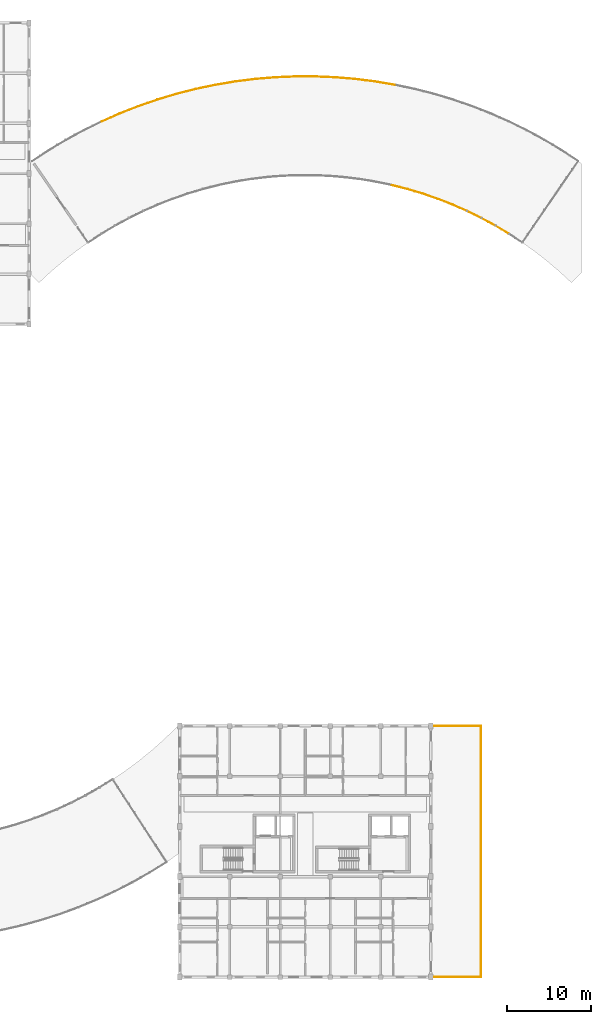
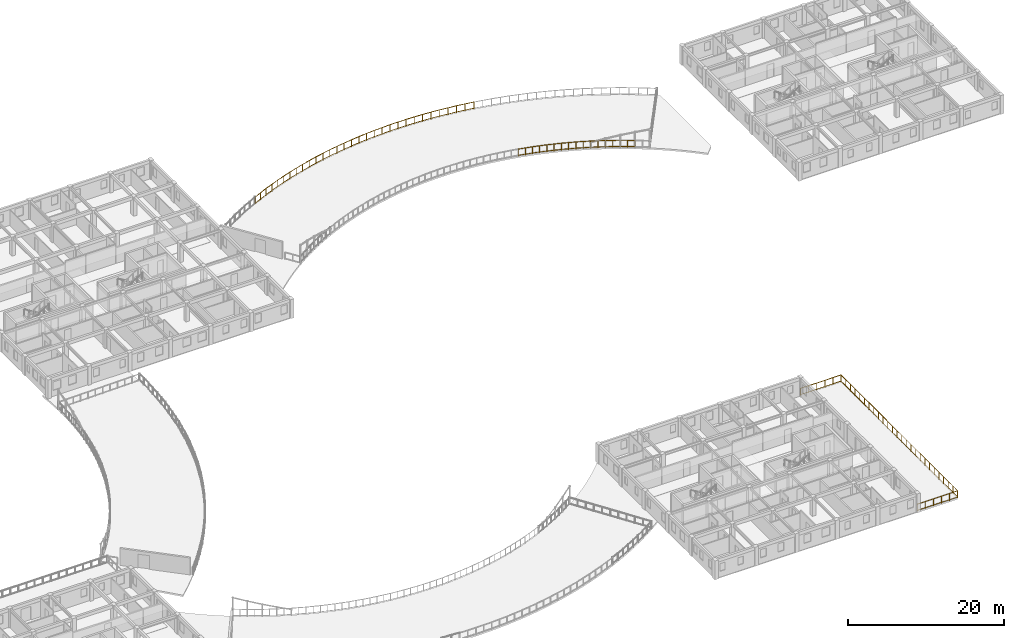
# One storey, part 56 of 58: 26 railings.
"""IFC4 building model written with IfcOpenShell, lengths in metres."""

from ifc_helpers import new_model, si_unit, direction, frame, origin, origin_2d, place, context, subcontext, project, spatial, circle, extrude, material, layer, layer_set, type_object, element, save


model = new_model("IFC4")

# Units and contexts
model_context = context("Model", 3, precision=1e-05, world=origin(), true_north=direction((0.0, 1.0)))
body_context = subcontext(model_context, "Body", "Model", "MODEL_VIEW")
ifc_project = project(units=[si_unit("LENGTHUNIT", "METRE"), si_unit("AREAUNIT", "SQUARE_METRE"), si_unit("VOLUMEUNIT", "CUBIC_METRE"), si_unit("PLANEANGLEUNIT", "RADIAN"), si_unit("MASSUNIT", "GRAM", prefix="KILO"), si_unit("POWERUNIT", "WATT"), si_unit("THERMODYNAMICTEMPERATUREUNIT", "KELVIN")], contexts=[model_context])

# Site, building, storey
site_placement = place(None, origin())
site = spatial("IfcSite", under=ifc_project, at=site_placement, CompositionType="ELEMENT")
building_placement = place(site_placement, origin())
building = spatial("IfcBuilding", under=site, at=building_placement, Name="Ruvembo Vaulted Housing Court", CompositionType="ELEMENT")
storey_placement = place(building_placement, frame((0.0, 0.0, 20.5)))
storey = spatial("IfcBuildingStorey", under=building, at=storey_placement, Name="L06", CompositionType="ELEMENT", Elevation=20.5)

# Railings
ifc_material = material(Name="Galvanised Painted Steel and Laminated Glass", Category="steel")
ifc_layer = layer(ifc_material, 0.070068359375, Name="Galvanised Painted Steel and Laminated Glass")
ifc_layer_set = layer_set([ifc_layer], Name="Galvanised Painted Steel and Laminated Glass")
railing_type = type_object("IfcRailingType", Name="RL-BALUST-1120", PredefinedType="BALUSTRADE", material=ifc_layer_set)
railing_1_placement = place(storey_placement, frame((132.0, 0.0, 0.0)))
element("IfcRailing", 1, at=railing_1_placement, inside=storey, type_object=railing_type, Name="L06 Perimeter Guard RL-EXT-L06-0010", PredefinedType="BALUSTRADE", context=body_context, shape_type="SweptSolid", body=[
    extrude(circle(Radius=0.02392578125, at=origin_2d()), frame((0.0, 0.0, 1.09619140625), z_axis=(1.0, 0.0, 0.0), x_axis=(0.0, 1.0, 0.0)), (0.0, 0.0, 1.0), 6.0),
    extrude(circle(Radius=0.01806640625, at=origin_2d()), frame((0.0, 0.0, 0.1201171875), z_axis=(1.0, 0.0, 0.0), x_axis=(0.0, 1.0, 0.0)), (0.0, 0.0, 1.0), 6.0),
    extrude(circle(Radius=0.02099609375, at=origin_2d()), origin(), (0.0, 0.0, 1.0), 1.072021484375),
    extrude(circle(Radius=0.02099609375, at=origin_2d()), frame((1.199951171875, 0.0, 0.0)), (0.0, 0.0, 1.0), 1.072021484375),
    extrude(circle(Radius=0.02099609375, at=origin_2d()), frame((2.39990234375, 0.0, 0.0)), (0.0, 0.0, 1.0), 1.072021484375),
    extrude(circle(Radius=0.02099609375, at=origin_2d()), frame((3.60009765625, 0.0, 0.0)), (0.0, 0.0, 1.0), 1.072021484375),
    extrude(circle(Radius=0.02099609375, at=origin_2d()), frame((4.800048828125, 0.0, 0.0)), (0.0, 0.0, 1.0), 1.072021484375),
    extrude(circle(Radius=0.02099609375, at=origin_2d()), frame((6.0, 0.0, 0.0)), (0.0, 0.0, 1.0), 1.072021484375),
])
railing_2_placement = place(storey_placement, frame((138.0, 0.0, 0.0)))
element("IfcRailing", 2, at=railing_2_placement, inside=storey, type_object=railing_type, Name="L06 Perimeter Guard RL-EXT-L06-0011", PredefinedType="BALUSTRADE", context=body_context, shape_type="SweptSolid", body=[
    extrude(circle(Radius=0.02392578125, at=origin_2d()), frame((0.0, 0.0, 1.09619140625), z_axis=(0.0, 1.0, 0.0), x_axis=(-1.0, 0.0, 0.0)), (0.0, 0.0, 1.0), 30.0),
    extrude(circle(Radius=0.01806640625, at=origin_2d()), frame((0.0, 0.0, 0.1201171875), z_axis=(0.0, 1.0, 0.0), x_axis=(-1.0, 0.0, 0.0)), (0.0, 0.0, 1.0), 30.0),
    extrude(circle(Radius=0.02099609375, at=origin_2d()), origin(), (0.0, 0.0, 1.0), 1.072021484375),
    extrude(circle(Radius=0.02099609375, at=origin_2d()), frame((0.0, 1.199951171875, 0.0)), (0.0, 0.0, 1.0), 1.072021484375),
    extrude(circle(Radius=0.02099609375, at=origin_2d()), frame((0.0, 2.39990234375, 0.0)), (0.0, 0.0, 1.0), 1.072021484375),
    extrude(circle(Radius=0.02099609375, at=origin_2d()), frame((0.0, 3.60009765625, 0.0)), (0.0, 0.0, 1.0), 1.072021484375),
    extrude(circle(Radius=0.02099609375, at=origin_2d()), frame((0.0, 4.800048828125, 0.0)), (0.0, 0.0, 1.0), 1.072021484375),
    extrude(circle(Radius=0.02099609375, at=origin_2d()), frame((0.0, 6.0, 0.0)), (0.0, 0.0, 1.0), 1.072021484375),
    extrude(circle(Radius=0.02099609375, at=origin_2d()), frame((0.0, 7.199951171875, 0.0)), (0.0, 0.0, 1.0), 1.072021484375),
    extrude(circle(Radius=0.02099609375, at=origin_2d()), frame((0.0, 8.39990234375, 0.0)), (0.0, 0.0, 1.0), 1.072021484375),
    extrude(circle(Radius=0.02099609375, at=origin_2d()), frame((0.0, 9.60009765625, 0.0)), (0.0, 0.0, 1.0), 1.072021484375),
    extrude(circle(Radius=0.02099609375, at=origin_2d()), frame((0.0, 10.800048828125, 0.0)), (0.0, 0.0, 1.0), 1.072021484375),
    extrude(circle(Radius=0.02099609375, at=origin_2d()), frame((0.0, 12.0, 0.0)), (0.0, 0.0, 1.0), 1.072021484375),
    extrude(circle(Radius=0.02099609375, at=origin_2d()), frame((0.0, 13.199951171875, 0.0)), (0.0, 0.0, 1.0), 1.072021484375),
    extrude(circle(Radius=0.02099609375, at=origin_2d()), frame((0.0, 14.39990234375, 0.0)), (0.0, 0.0, 1.0), 1.072021484375),
    extrude(circle(Radius=0.02099609375, at=origin_2d()), frame((0.0, 15.60009765625, 0.0)), (0.0, 0.0, 1.0), 1.072021484375),
    extrude(circle(Radius=0.02099609375, at=origin_2d()), frame((0.0, 16.800048828125, 0.0)), (0.0, 0.0, 1.0), 1.072021484375),
    extrude(circle(Radius=0.02099609375, at=origin_2d()), frame((0.0, 18.0, 0.0)), (0.0, 0.0, 1.0), 1.072021484375),
    extrude(circle(Radius=0.02099609375, at=origin_2d()), frame((0.0, 19.199951171875, 0.0)), (0.0, 0.0, 1.0), 1.072021484375),
    extrude(circle(Radius=0.02099609375, at=origin_2d()), frame((0.0, 20.39990234375, 0.0)), (0.0, 0.0, 1.0), 1.072021484375),
    extrude(circle(Radius=0.02099609375, at=origin_2d()), frame((0.0, 21.60009765625, 0.0)), (0.0, 0.0, 1.0), 1.072021484375),
    extrude(circle(Radius=0.02099609375, at=origin_2d()), frame((0.0, 22.800048828125, 0.0)), (0.0, 0.0, 1.0), 1.072021484375),
    extrude(circle(Radius=0.02099609375, at=origin_2d()), frame((0.0, 24.0, 0.0)), (0.0, 0.0, 1.0), 1.072021484375),
    extrude(circle(Radius=0.02099609375, at=origin_2d()), frame((0.0, 25.199951171875, 0.0)), (0.0, 0.0, 1.0), 1.072021484375),
    extrude(circle(Radius=0.02099609375, at=origin_2d()), frame((0.0, 26.39990234375, 0.0)), (0.0, 0.0, 1.0), 1.072021484375),
    extrude(circle(Radius=0.02099609375, at=origin_2d()), frame((0.0, 27.60009765625, 0.0)), (0.0, 0.0, 1.0), 1.072021484375),
    extrude(circle(Radius=0.02099609375, at=origin_2d()), frame((0.0, 28.800048828125, 0.0)), (0.0, 0.0, 1.0), 1.072021484375),
    extrude(circle(Radius=0.02099609375, at=origin_2d()), frame((0.0, 30.0, 0.0)), (0.0, 0.0, 1.0), 1.072021484375),
])
railing_3_placement = place(storey_placement, frame((138.0, 30.0, 0.0)))
element("IfcRailing", 3, at=railing_3_placement, inside=storey, type_object=railing_type, Name="L06 Perimeter Guard RL-EXT-L06-0012", PredefinedType="BALUSTRADE", context=body_context, shape_type="SweptSolid", body=[
    extrude(circle(Radius=0.02392578125, at=origin_2d()), frame((0.0, 0.0, 1.09619140625), z_axis=(-1.0, 0.0, 0.0), x_axis=(0.0, -1.0, 0.0)), (0.0, 0.0, 1.0), 6.0),
    extrude(circle(Radius=0.01806640625, at=origin_2d()), frame((0.0, 0.0, 0.1201171875), z_axis=(-1.0, 0.0, 0.0), x_axis=(0.0, -1.0, 0.0)), (0.0, 0.0, 1.0), 6.0),
    extrude(circle(Radius=0.02099609375, at=origin_2d()), origin(), (0.0, 0.0, 1.0), 1.072021484375),
    extrude(circle(Radius=0.02099609375, at=origin_2d()), frame((-1.199951171875, 0.0, 0.0)), (0.0, 0.0, 1.0), 1.072021484375),
    extrude(circle(Radius=0.02099609375, at=origin_2d()), frame((-2.39990234375, 0.0, 0.0)), (0.0, 0.0, 1.0), 1.072021484375),
    extrude(circle(Radius=0.02099609375, at=origin_2d()), frame((-3.60009765625, 0.0, 0.0)), (0.0, 0.0, 1.0), 1.072021484375),
    extrude(circle(Radius=0.02099609375, at=origin_2d()), frame((-4.800048828125, 0.0, 0.0)), (0.0, 0.0, 1.0), 1.072021484375),
    extrude(circle(Radius=0.02099609375, at=origin_2d()), frame((-6.0, 0.0, 0.0)), (0.0, 0.0, 1.0), 1.072021484375),
])
railing_4_placement = place(storey_placement, frame((127.365966796875, 94.611572265625, 0.0)))
element("IfcRailing", 4, at=railing_4_placement, inside=storey, type_object=railing_type, Name="L06 Perimeter Guard RL-EXT-L06-0845", PredefinedType="BALUSTRADE", context=body_context, shape_type="SweptSolid", body=[
    extrude(circle(Radius=0.02392578125, at=origin_2d()), frame((0.0, 0.0, 1.09619140625), z_axis=(0.969121730429, -0.246582788553, 0.0), x_axis=(0.246582788553, 0.969121730429, 0.0)), (0.0, 0.0, 1.0), 1.90087890625),
    extrude(circle(Radius=0.01806640625, at=origin_2d()), frame((0.0, 0.0, 0.1201171875), z_axis=(0.969121730429, -0.246582788553, 0.0), x_axis=(0.246582788553, 0.969121730429, 0.0)), (0.0, 0.0, 1.0), 1.90087890625),
    extrude(circle(Radius=0.02099609375, at=origin_2d()), origin(), (0.0, 0.0, 1.0), 1.072021484375),
    extrude(circle(Radius=0.02099609375, at=origin_2d()), frame((0.921142578125, -0.234375, 0.0)), (0.0, 0.0, 1.0), 1.072021484375),
    extrude(circle(Radius=0.02099609375, at=origin_2d()), frame((1.84228515625, -0.46875, 0.0)), (0.0, 0.0, 1.0), 1.072021484375),
])
railing_5_placement = place(storey_placement, frame((129.208251953125, 94.142822265625, 0.0)))
element("IfcRailing", 5, at=railing_5_placement, inside=storey, type_object=railing_type, Name="L06 Perimeter Guard RL-EXT-L06-0846", PredefinedType="BALUSTRADE", context=body_context, shape_type="SweptSolid", body=[
    extrude(circle(Radius=0.02392578125, at=origin_2d()), frame((0.0, 0.0, 1.09619140625), z_axis=(0.958108609181, -0.286405120439, 0.0), x_axis=(0.286405120439, 0.958108609181, 0.0)), (0.0, 0.0, 1.0), 1.90087890625),
    extrude(circle(Radius=0.01806640625, at=origin_2d()), frame((0.0, 0.0, 0.1201171875), z_axis=(0.958108609181, -0.286405120439, 0.0), x_axis=(0.286405120439, 0.958108609181, 0.0)), (0.0, 0.0, 1.0), 1.90087890625),
    extrude(circle(Radius=0.02099609375, at=origin_2d()), origin(), (0.0, 0.0, 1.0), 1.072021484375),
    extrude(circle(Radius=0.02099609375, at=origin_2d()), frame((0.91064453125, -0.272216796875, 0.0)), (0.0, 0.0, 1.0), 1.072021484375),
    extrude(circle(Radius=0.02099609375, at=origin_2d()), frame((1.8212890625, -0.54443359375, 0.0)), (0.0, 0.0, 1.0), 1.072021484375),
])
railing_6_placement = place(storey_placement, frame((131.029541015625, 93.598388671875, 0.0)))
element("IfcRailing", 6, at=railing_6_placement, inside=storey, type_object=railing_type, Name="L06 Perimeter Guard RL-EXT-L06-0847", PredefinedType="BALUSTRADE", context=body_context, shape_type="SweptSolid", body=[
    extrude(circle(Radius=0.02392578125, at=origin_2d()), frame((0.0, 0.0, 1.09619140625), z_axis=(0.945357969834, -0.326034214264, 0.0), x_axis=(0.326034214264, 0.945357969834, 0.0)), (0.0, 0.0, 1.0), 1.9013671875),
    extrude(circle(Radius=0.01806640625, at=origin_2d()), frame((0.0, 0.0, 0.1201171875), z_axis=(0.945357969834, -0.326034214264, 0.0), x_axis=(0.326034214264, 0.945357969834, 0.0)), (0.0, 0.0, 1.0), 1.9013671875),
    extrude(circle(Radius=0.02099609375, at=origin_2d()), origin(), (0.0, 0.0, 1.0), 1.072021484375),
    extrude(circle(Radius=0.02099609375, at=origin_2d()), frame((0.898681640625, -0.31005859375, 0.0)), (0.0, 0.0, 1.0), 1.072021484375),
    extrude(circle(Radius=0.02099609375, at=origin_2d()), frame((1.79736328125, -0.619873046875, 0.0)), (0.0, 0.0, 1.0), 1.072021484375),
])
railing_7_placement = place(storey_placement, frame((132.826904296875, 92.978515625, 0.0)))
element("IfcRailing", 7, at=railing_7_placement, inside=storey, type_object=railing_type, Name="L06 Perimeter Guard RL-EXT-L06-0848", PredefinedType="BALUSTRADE", context=body_context, shape_type="SweptSolid", body=[
    extrude(circle(Radius=0.02392578125, at=origin_2d()), frame((0.0, 0.0, 1.09619140625), z_axis=(0.931005720133, -0.365004587752, 0.0), x_axis=(0.365004587752, 0.931005720133, 0.0)), (0.0, 0.0, 1.0), 1.90087890625),
    extrude(circle(Radius=0.01806640625, at=origin_2d()), frame((0.0, 0.0, 0.1201171875), z_axis=(0.931005720133, -0.365004587752, 0.0), x_axis=(0.365004587752, 0.931005720133, 0.0)), (0.0, 0.0, 1.0), 1.90087890625),
    extrude(circle(Radius=0.02099609375, at=origin_2d()), origin(), (0.0, 0.0, 1.0), 1.072021484375),
    extrude(circle(Radius=0.02099609375, at=origin_2d()), frame((0.884765625, -0.346923828125, 0.0)), (0.0, 0.0, 1.0), 1.072021484375),
    extrude(circle(Radius=0.02099609375, at=origin_2d()), frame((1.769775390625, -0.69384765625, 0.0)), (0.0, 0.0, 1.0), 1.072021484375),
])
railing_8_placement = place(storey_placement, frame((134.5966796875, 92.28466796875, 0.0)))
element("IfcRailing", 8, at=railing_8_placement, inside=storey, type_object=railing_type, Name="L06 Perimeter Guard RL-EXT-L06-0849", PredefinedType="BALUSTRADE", context=body_context, shape_type="SweptSolid", body=[
    extrude(circle(Radius=0.02392578125, at=origin_2d()), frame((0.0, 0.0, 1.09619140625), z_axis=(0.91507815309, -0.403276547467, 0.0), x_axis=(0.403276547467, 0.91507815309, 0.0)), (0.0, 0.0, 1.0), 1.90087890625),
    extrude(circle(Radius=0.01806640625, at=origin_2d()), frame((0.0, 0.0, 0.1201171875), z_axis=(0.91507815309, -0.403276547467, 0.0), x_axis=(0.403276547467, 0.91507815309, 0.0)), (0.0, 0.0, 1.0), 1.90087890625),
    extrude(circle(Radius=0.02099609375, at=origin_2d()), origin(), (0.0, 0.0, 1.0), 1.072021484375),
    extrude(circle(Radius=0.02099609375, at=origin_2d()), frame((0.86962890625, -0.38330078125, 0.0)), (0.0, 0.0, 1.0), 1.072021484375),
    extrude(circle(Radius=0.02099609375, at=origin_2d()), frame((1.739501953125, -0.7666015625, 0.0)), (0.0, 0.0, 1.0), 1.072021484375),
])
railing_9_placement = place(storey_placement, frame((136.336181640625, 91.51806640625, 0.0)))
element("IfcRailing", 9, at=railing_9_placement, inside=storey, type_object=railing_type, Name="L06 Perimeter Guard RL-EXT-L06-0850", PredefinedType="BALUSTRADE", context=body_context, shape_type="SweptSolid", body=[
    extrude(circle(Radius=0.02392578125, at=origin_2d()), frame((0.0, 0.0, 1.09619140625), z_axis=(0.897513310314, -0.44098736695, 0.0), x_axis=(0.44098736695, 0.897513310314, 0.0)), (0.0, 0.0, 1.0), 1.901123046875),
    extrude(circle(Radius=0.01806640625, at=origin_2d()), frame((0.0, 0.0, 0.1201171875), z_axis=(0.897513310314, -0.44098736695, 0.0), x_axis=(0.44098736695, 0.897513310314, 0.0)), (0.0, 0.0, 1.0), 1.901123046875),
    extrude(circle(Radius=0.02099609375, at=origin_2d()), origin(), (0.0, 0.0, 1.0), 1.072021484375),
    extrude(circle(Radius=0.02099609375, at=origin_2d()), frame((0.85302734375, -0.419189453125, 0.0)), (0.0, 0.0, 1.0), 1.072021484375),
    extrude(circle(Radius=0.02099609375, at=origin_2d()), frame((1.706298828125, -0.83837890625, 0.0)), (0.0, 0.0, 1.0), 1.072021484375),
])
railing_10_placement = place(storey_placement, frame((138.04248046875, 90.6796875, 0.0)))
element("IfcRailing", 10, at=railing_10_placement, inside=storey, type_object=railing_type, Name="L06 Perimeter Guard RL-EXT-L06-0851", PredefinedType="BALUSTRADE", context=body_context, shape_type="SweptSolid", body=[
    extrude(circle(Radius=0.02392578125, at=origin_2d()), frame((0.0, 0.0, 1.09619140625), z_axis=(0.878513214386, -0.477718046706, 0.0), x_axis=(0.477718046706, 0.878513214386, 0.0)), (0.0, 0.0, 1.0), 1.901123046875),
    extrude(circle(Radius=0.01806640625, at=origin_2d()), frame((0.0, 0.0, 0.1201171875), z_axis=(0.878513214386, -0.477718046706, 0.0), x_axis=(0.477718046706, 0.878513214386, 0.0)), (0.0, 0.0, 1.0), 1.901123046875),
    extrude(circle(Radius=0.02099609375, at=origin_2d()), origin(), (0.0, 0.0, 1.0), 1.072021484375),
    extrude(circle(Radius=0.02099609375, at=origin_2d()), frame((0.8349609375, -0.4541015625, 0.0)), (0.0, 0.0, 1.0), 1.072021484375),
    extrude(circle(Radius=0.02099609375, at=origin_2d()), frame((1.670166015625, -0.908203125, 0.0)), (0.0, 0.0, 1.0), 1.072021484375),
])
railing_11_placement = place(storey_placement, frame((139.712646484375, 89.771484375, 0.0)))
element("IfcRailing", 11, at=railing_11_placement, inside=storey, type_object=railing_type, Name="L06 Perimeter Guard RL-EXT-L06-0852", PredefinedType="BALUSTRADE", context=body_context, shape_type="SweptSolid", body=[
    extrude(circle(Radius=0.02392578125, at=origin_2d()), frame((0.0, 0.0, 1.09619140625), z_axis=(0.857889282303, -0.513834583607, 0.0), x_axis=(0.513834583607, 0.857889282303, 0.0)), (0.0, 0.0, 1.0), 1.901123046875),
    extrude(circle(Radius=0.01806640625, at=origin_2d()), frame((0.0, 0.0, 0.1201171875), z_axis=(0.857889282303, -0.513834583607, 0.0), x_axis=(0.513834583607, 0.857889282303, 0.0)), (0.0, 0.0, 1.0), 1.901123046875),
    extrude(circle(Radius=0.02099609375, at=origin_2d()), origin(), (0.0, 0.0, 1.0), 1.072021484375),
    extrude(circle(Radius=0.02099609375, at=origin_2d()), frame((0.8154296875, -0.48828125, 0.0)), (0.0, 0.0, 1.0), 1.072021484375),
    extrude(circle(Radius=0.02099609375, at=origin_2d()), frame((1.630859375, -0.976806640625, 0.0)), (0.0, 0.0, 1.0), 1.072021484375),
])
railing_12_placement = place(storey_placement, frame((127.697021484375, 106.597900390625, 0.0)))
element("IfcRailing", 12, at=railing_12_placement, inside=storey, type_object=railing_type, Name="L06 Perimeter Guard RL-EXT-L06-0865", PredefinedType="BALUSTRADE", context=body_context, shape_type="SweptSolid", body=[
    extrude(circle(Radius=0.02392578125, at=origin_2d()), frame((0.0, 0.0, 1.09619140625), z_axis=(-0.98623893358, 0.165326240781, 0.0), x_axis=(-0.165326240781, -0.98623893358, 0.0)), (0.0, 0.0, 1.0), 2.390869140625),
    extrude(circle(Radius=0.01806640625, at=origin_2d()), frame((0.0, 0.0, 0.1201171875), z_axis=(-0.98623893358, 0.165326240781, 0.0), x_axis=(-0.165326240781, -0.98623893358, 0.0)), (0.0, 0.0, 1.0), 2.390869140625),
    extrude(circle(Radius=0.02099609375, at=origin_2d()), origin(), (0.0, 0.0, 1.0), 1.072021484375),
    extrude(circle(Radius=0.02099609375, at=origin_2d()), frame((-1.178955078125, 0.19775390625, 0.0)), (0.0, 0.0, 1.0), 1.072021484375),
    extrude(circle(Radius=0.02099609375, at=origin_2d()), frame((-2.35791015625, 0.395263671875, 0.0)), (0.0, 0.0, 1.0), 1.072021484375),
])
railing_13_placement = place(storey_placement, frame((125.339111328125, 106.9931640625, 0.0)))
element("IfcRailing", 13, at=railing_13_placement, inside=storey, type_object=railing_type, Name="L06 Perimeter Guard RL-EXT-L06-0866", PredefinedType="BALUSTRADE", context=body_context, shape_type="SweptSolid", body=[
    extrude(circle(Radius=0.02392578125, at=origin_2d()), frame((0.0, 0.0, 1.09619140625), z_axis=(-0.992260585924, 0.124172982658, 0.0), x_axis=(-0.124172982658, -0.992260585924, 0.0)), (0.0, 0.0, 1.0), 2.390869140625),
    extrude(circle(Radius=0.01806640625, at=origin_2d()), frame((0.0, 0.0, 0.1201171875), z_axis=(-0.992260585924, 0.124172982658, 0.0), x_axis=(-0.124172982658, -0.992260585924, 0.0)), (0.0, 0.0, 1.0), 2.390869140625),
    extrude(circle(Radius=0.02099609375, at=origin_2d()), origin(), (0.0, 0.0, 1.0), 1.072021484375),
    extrude(circle(Radius=0.02099609375, at=origin_2d()), frame((-1.18603515625, 0.1484375, 0.0)), (0.0, 0.0, 1.0), 1.072021484375),
    extrude(circle(Radius=0.02099609375, at=origin_2d()), frame((-2.372314453125, 0.296875, 0.0)), (0.0, 0.0, 1.0), 1.072021484375),
])
railing_14_placement = place(storey_placement, frame((122.966796875, 107.2900390625, 0.0)))
element("IfcRailing", 14, at=railing_14_placement, inside=storey, type_object=railing_type, Name="L06 Perimeter Guard RL-EXT-L06-0867", PredefinedType="BALUSTRADE", context=body_context, shape_type="SweptSolid", body=[
    extrude(circle(Radius=0.02392578125, at=origin_2d()), frame((0.0, 0.0, 1.09619140625), z_axis=(-0.996556313973, 0.082918713695, 0.0), x_axis=(-0.082918713695, -0.996556313973, 0.0)), (0.0, 0.0, 1.0), 2.390869140625),
    extrude(circle(Radius=0.01806640625, at=origin_2d()), frame((0.0, 0.0, 0.1201171875), z_axis=(-0.996556313973, 0.082918713695, 0.0), x_axis=(-0.082918713695, -0.996556313973, 0.0)), (0.0, 0.0, 1.0), 2.390869140625),
    extrude(circle(Radius=0.02099609375, at=origin_2d()), origin(), (0.0, 0.0, 1.0), 1.072021484375),
    extrude(circle(Radius=0.02099609375, at=origin_2d()), frame((-1.19140625, 0.09912109375, 0.0)), (0.0, 0.0, 1.0), 1.072021484375),
    extrude(circle(Radius=0.02099609375, at=origin_2d()), frame((-2.382568359375, 0.1982421875, 0.0)), (0.0, 0.0, 1.0), 1.072021484375),
])
railing_15_placement = place(storey_placement, frame((120.584228515625, 107.48828125, 0.0)))
element("IfcRailing", 15, at=railing_15_placement, inside=storey, type_object=railing_type, Name="L06 Perimeter Guard RL-EXT-L06-0868", PredefinedType="BALUSTRADE", context=body_context, shape_type="SweptSolid", body=[
    extrude(circle(Radius=0.02392578125, at=origin_2d()), frame((0.0, 0.0, 1.09619140625), z_axis=(-0.999136078893, 0.041558342781, 0.0), x_axis=(-0.041558342781, -0.999136078893, 0.0)), (0.0, 0.0, 1.0), 2.390869140625),
    extrude(circle(Radius=0.01806640625, at=origin_2d()), frame((0.0, 0.0, 0.1201171875), z_axis=(-0.999136078893, 0.041558342781, 0.0), x_axis=(-0.041558342781, -0.999136078893, 0.0)), (0.0, 0.0, 1.0), 2.390869140625),
    extrude(circle(Radius=0.02099609375, at=origin_2d()), origin(), (0.0, 0.0, 1.0), 1.072021484375),
    extrude(circle(Radius=0.02099609375, at=origin_2d()), frame((-1.1943359375, 0.0498046875, 0.0)), (0.0, 0.0, 1.0), 1.072021484375),
    extrude(circle(Radius=0.02099609375, at=origin_2d()), frame((-2.388916015625, 0.099365234375, 0.0)), (0.0, 0.0, 1.0), 1.072021484375),
])
railing_16_placement = place(storey_placement, frame((118.1953125, 107.587646484375, 0.0)))
element("IfcRailing", 16, at=railing_16_placement, inside=storey, type_object=railing_type, Name="L06 Perimeter Guard RL-EXT-L06-0869", PredefinedType="BALUSTRADE", context=body_context, shape_type="SweptSolid", body=[
    extrude(circle(Radius=0.02392578125, at=origin_2d()), frame((0.0, 0.0, 1.09619140625), z_axis=(-1.0, 0.0, 0.0), x_axis=(0.0, -1.0, 0.0)), (0.0, 0.0, 1.0), 2.390625),
    extrude(circle(Radius=0.01806640625, at=origin_2d()), frame((0.0, 0.0, 0.1201171875), z_axis=(-1.0, 0.0, 0.0), x_axis=(0.0, -1.0, 0.0)), (0.0, 0.0, 1.0), 2.390625),
    extrude(circle(Radius=0.02099609375, at=origin_2d()), origin(), (0.0, 0.0, 1.0), 1.072021484375),
    extrude(circle(Radius=0.02099609375, at=origin_2d()), frame((-1.1953125, 0.0, 0.0)), (0.0, 0.0, 1.0), 1.072021484375),
    extrude(circle(Radius=0.02099609375, at=origin_2d()), frame((-2.390625, 0.0, 0.0)), (0.0, 0.0, 1.0), 1.072021484375),
])
railing_17_placement = place(storey_placement, frame((115.8046875, 107.587646484375, 0.0)))
element("IfcRailing", 17, at=railing_17_placement, inside=storey, type_object=railing_type, Name="L06 Perimeter Guard RL-EXT-L06-0870", PredefinedType="BALUSTRADE", context=body_context, shape_type="SweptSolid", body=[
    extrude(circle(Radius=0.02392578125, at=origin_2d()), frame((0.0, 0.0, 1.09619140625), z_axis=(-0.999136078893, -0.041558342781, 0.0), x_axis=(0.041558342781, -0.999136078893, 0.0)), (0.0, 0.0, 1.0), 2.390869140625),
    extrude(circle(Radius=0.01806640625, at=origin_2d()), frame((0.0, 0.0, 0.1201171875), z_axis=(-0.999136078893, -0.041558342781, 0.0), x_axis=(0.041558342781, -0.999136078893, 0.0)), (0.0, 0.0, 1.0), 2.390869140625),
    extrude(circle(Radius=0.02099609375, at=origin_2d()), origin(), (0.0, 0.0, 1.0), 1.072021484375),
    extrude(circle(Radius=0.02099609375, at=origin_2d()), frame((-1.1943359375, -0.0498046875, 0.0)), (0.0, 0.0, 1.0), 1.072021484375),
    extrude(circle(Radius=0.02099609375, at=origin_2d()), frame((-2.388916015625, -0.099365234375, 0.0)), (0.0, 0.0, 1.0), 1.072021484375),
])
railing_18_placement = place(storey_placement, frame((113.415771484375, 107.48828125, 0.0)))
element("IfcRailing", 18, at=railing_18_placement, inside=storey, type_object=railing_type, Name="L06 Perimeter Guard RL-EXT-L06-0871", PredefinedType="BALUSTRADE", context=body_context, shape_type="SweptSolid", body=[
    extrude(circle(Radius=0.02392578125, at=origin_2d()), frame((0.0, 0.0, 1.09619140625), z_axis=(-0.996556313973, -0.082918713695, 0.0), x_axis=(0.082918713695, -0.996556313973, 0.0)), (0.0, 0.0, 1.0), 2.390869140625),
    extrude(circle(Radius=0.01806640625, at=origin_2d()), frame((0.0, 0.0, 0.1201171875), z_axis=(-0.996556313973, -0.082918713695, 0.0), x_axis=(0.082918713695, -0.996556313973, 0.0)), (0.0, 0.0, 1.0), 2.390869140625),
    extrude(circle(Radius=0.02099609375, at=origin_2d()), origin(), (0.0, 0.0, 1.0), 1.072021484375),
    extrude(circle(Radius=0.02099609375, at=origin_2d()), frame((-1.19140625, -0.09912109375, 0.0)), (0.0, 0.0, 1.0), 1.072021484375),
    extrude(circle(Radius=0.02099609375, at=origin_2d()), frame((-2.382568359375, -0.1982421875, 0.0)), (0.0, 0.0, 1.0), 1.072021484375),
])
railing_19_placement = place(storey_placement, frame((111.033203125, 107.2900390625, 0.0)))
element("IfcRailing", 19, at=railing_19_placement, inside=storey, type_object=railing_type, Name="L06 Perimeter Guard RL-EXT-L06-0872", PredefinedType="BALUSTRADE", context=body_context, shape_type="SweptSolid", body=[
    extrude(circle(Radius=0.02392578125, at=origin_2d()), frame((0.0, 0.0, 1.09619140625), z_axis=(-0.992260585924, -0.124172982658, 0.0), x_axis=(0.124172982658, -0.992260585924, 0.0)), (0.0, 0.0, 1.0), 2.390869140625),
    extrude(circle(Radius=0.01806640625, at=origin_2d()), frame((0.0, 0.0, 0.1201171875), z_axis=(-0.992260585924, -0.124172982658, 0.0), x_axis=(0.124172982658, -0.992260585924, 0.0)), (0.0, 0.0, 1.0), 2.390869140625),
    extrude(circle(Radius=0.02099609375, at=origin_2d()), origin(), (0.0, 0.0, 1.0), 1.072021484375),
    extrude(circle(Radius=0.02099609375, at=origin_2d()), frame((-1.18603515625, -0.1484375, 0.0)), (0.0, 0.0, 1.0), 1.072021484375),
    extrude(circle(Radius=0.02099609375, at=origin_2d()), frame((-2.372314453125, -0.296875, 0.0)), (0.0, 0.0, 1.0), 1.072021484375),
])
railing_20_placement = place(storey_placement, frame((108.660888671875, 106.9931640625, 0.0)))
element("IfcRailing", 20, at=railing_20_placement, inside=storey, type_object=railing_type, Name="L06 Perimeter Guard RL-EXT-L06-0873", PredefinedType="BALUSTRADE", context=body_context, shape_type="SweptSolid", body=[
    extrude(circle(Radius=0.02392578125, at=origin_2d()), frame((0.0, 0.0, 1.09619140625), z_axis=(-0.98623893358, -0.165326240781, 0.0), x_axis=(0.165326240781, -0.98623893358, 0.0)), (0.0, 0.0, 1.0), 2.390869140625),
    extrude(circle(Radius=0.01806640625, at=origin_2d()), frame((0.0, 0.0, 0.1201171875), z_axis=(-0.98623893358, -0.165326240781, 0.0), x_axis=(0.165326240781, -0.98623893358, 0.0)), (0.0, 0.0, 1.0), 2.390869140625),
    extrude(circle(Radius=0.02099609375, at=origin_2d()), origin(), (0.0, 0.0, 1.0), 1.072021484375),
    extrude(circle(Radius=0.02099609375, at=origin_2d()), frame((-1.178955078125, -0.19775390625, 0.0)), (0.0, 0.0, 1.0), 1.072021484375),
    extrude(circle(Radius=0.02099609375, at=origin_2d()), frame((-2.35791015625, -0.395263671875, 0.0)), (0.0, 0.0, 1.0), 1.072021484375),
])
railing_21_placement = place(storey_placement, frame((106.302978515625, 106.597900390625, 0.0)))
element("IfcRailing", 21, at=railing_21_placement, inside=storey, type_object=railing_type, Name="L06 Perimeter Guard RL-EXT-L06-0874", PredefinedType="BALUSTRADE", context=body_context, shape_type="SweptSolid", body=[
    extrude(circle(Radius=0.02392578125, at=origin_2d()), frame((0.0, 0.0, 1.09619140625), z_axis=(-0.978538949473, -0.206061943028, 0.0), x_axis=(0.206061943028, -0.978538949473, 0.0)), (0.0, 0.0, 1.0), 2.390869140625),
    extrude(circle(Radius=0.01806640625, at=origin_2d()), frame((0.0, 0.0, 0.1201171875), z_axis=(-0.978538949473, -0.206061943028, 0.0), x_axis=(0.206061943028, -0.978538949473, 0.0)), (0.0, 0.0, 1.0), 2.390869140625),
    extrude(circle(Radius=0.02099609375, at=origin_2d()), origin(), (0.0, 0.0, 1.0), 1.072021484375),
    extrude(circle(Radius=0.02099609375, at=origin_2d()), frame((-1.169921875, -0.246337890625, 0.0)), (0.0, 0.0, 1.0), 1.072021484375),
    extrude(circle(Radius=0.02099609375, at=origin_2d()), frame((-2.339599609375, -0.49267578125, 0.0)), (0.0, 0.0, 1.0), 1.072021484375),
])
railing_22_placement = place(storey_placement, frame((103.96337890625, 106.105224609375, 0.0)))
element("IfcRailing", 22, at=railing_22_placement, inside=storey, type_object=railing_type, Name="L06 Perimeter Guard RL-EXT-L06-0875", PredefinedType="BALUSTRADE", context=body_context, shape_type="SweptSolid", body=[
    extrude(circle(Radius=0.02392578125, at=origin_2d()), frame((0.0, 0.0, 1.09619140625), z_axis=(-0.969167704474, -0.246402030439, 0.0), x_axis=(0.246402030439, -0.969167704474, 0.0)), (0.0, 0.0, 1.0), 2.390869140625),
    extrude(circle(Radius=0.01806640625, at=origin_2d()), frame((0.0, 0.0, 0.1201171875), z_axis=(-0.969167704474, -0.246402030439, 0.0), x_axis=(0.246402030439, -0.969167704474, 0.0)), (0.0, 0.0, 1.0), 2.390869140625),
    extrude(circle(Radius=0.02099609375, at=origin_2d()), origin(), (0.0, 0.0, 1.0), 1.072021484375),
    extrude(circle(Radius=0.02099609375, at=origin_2d()), frame((-1.15869140625, -0.29443359375, 0.0)), (0.0, 0.0, 1.0), 1.072021484375),
    extrude(circle(Radius=0.02099609375, at=origin_2d()), frame((-2.317138671875, -0.589111328125, 0.0)), (0.0, 0.0, 1.0), 1.072021484375),
])
railing_23_placement = place(storey_placement, frame((101.646240234375, 105.51611328125, 0.0)))
element("IfcRailing", 23, at=railing_23_placement, inside=storey, type_object=railing_type, Name="L06 Perimeter Guard RL-EXT-L06-0876", PredefinedType="BALUSTRADE", context=body_context, shape_type="SweptSolid", body=[
    extrude(circle(Radius=0.02392578125, at=origin_2d()), frame((0.0, 0.0, 1.09619140625), z_axis=(-0.958067655987, -0.286542085131, 0.0), x_axis=(0.286542085131, -0.958067655987, 0.0)), (0.0, 0.0, 1.0), 2.390869140625),
    extrude(circle(Radius=0.01806640625, at=origin_2d()), frame((0.0, 0.0, 0.1201171875), z_axis=(-0.958067655987, -0.286542085131, 0.0), x_axis=(0.286542085131, -0.958067655987, 0.0)), (0.0, 0.0, 1.0), 2.390869140625),
    extrude(circle(Radius=0.02099609375, at=origin_2d()), origin(), (0.0, 0.0, 1.0), 1.072021484375),
    extrude(circle(Radius=0.02099609375, at=origin_2d()), frame((-1.145263671875, -0.342529296875, 0.0)), (0.0, 0.0, 1.0), 1.072021484375),
    extrude(circle(Radius=0.02099609375, at=origin_2d()), frame((-2.29052734375, -0.68505859375, 0.0)), (0.0, 0.0, 1.0), 1.072021484375),
])
railing_24_placement = place(storey_placement, frame((99.355712890625, 104.8310546875, 0.0)))
element("IfcRailing", 24, at=railing_24_placement, inside=storey, type_object=railing_type, Name="L06 Perimeter Guard RL-EXT-L06-0877", PredefinedType="BALUSTRADE", context=body_context, shape_type="SweptSolid", body=[
    extrude(circle(Radius=0.02392578125, at=origin_2d()), frame((0.0, 0.0, 1.09619140625), z_axis=(-0.945354532642, -0.326044180463, 0.0), x_axis=(0.326044180463, -0.945354532642, 0.0)), (0.0, 0.0, 1.0), 2.390869140625),
    extrude(circle(Radius=0.01806640625, at=origin_2d()), frame((0.0, 0.0, 0.1201171875), z_axis=(-0.945354532642, -0.326044180463, 0.0), x_axis=(0.326044180463, -0.945354532642, 0.0)), (0.0, 0.0, 1.0), 2.390869140625),
    extrude(circle(Radius=0.02099609375, at=origin_2d()), origin(), (0.0, 0.0, 1.0), 1.072021484375),
    extrude(circle(Radius=0.02099609375, at=origin_2d()), frame((-1.130126953125, -0.3896484375, 0.0)), (0.0, 0.0, 1.0), 1.072021484375),
    extrude(circle(Radius=0.02099609375, at=origin_2d()), frame((-2.26025390625, -0.779541015625, 0.0)), (0.0, 0.0, 1.0), 1.072021484375),
])
railing_25_placement = place(storey_placement, frame((97.095458984375, 104.051513671875, 0.0)))
element("IfcRailing", 25, at=railing_25_placement, inside=storey, type_object=railing_type, Name="L06 Perimeter Guard RL-EXT-L06-0878", PredefinedType="BALUSTRADE", context=body_context, shape_type="SweptSolid", body=[
    extrude(circle(Radius=0.02392578125, at=origin_2d()), frame((0.0, 0.0, 1.09619140625), z_axis=(-0.931018108789, -0.364972986817, 0.0), x_axis=(0.364972986817, -0.931018108789, 0.0)), (0.0, 0.0, 1.0), 2.390869140625),
    extrude(circle(Radius=0.01806640625, at=origin_2d()), frame((0.0, 0.0, 0.1201171875), z_axis=(-0.931018108789, -0.364972986817, 0.0), x_axis=(0.364972986817, -0.931018108789, 0.0)), (0.0, 0.0, 1.0), 2.390869140625),
    extrude(circle(Radius=0.02099609375, at=origin_2d()), origin(), (0.0, 0.0, 1.0), 1.072021484375),
    extrude(circle(Radius=0.02099609375, at=origin_2d()), frame((-1.11279296875, -0.436279296875, 0.0)), (0.0, 0.0, 1.0), 1.072021484375),
    extrude(circle(Radius=0.02099609375, at=origin_2d()), frame((-2.225830078125, -0.87255859375, 0.0)), (0.0, 0.0, 1.0), 1.072021484375),
])
railing_26_placement = place(storey_placement, frame((94.86962890625, 103.178955078125, 0.0)))
element("IfcRailing", 26, at=railing_26_placement, inside=storey, type_object=railing_type, Name="L06 Perimeter Guard RL-EXT-L06-0879", PredefinedType="BALUSTRADE", context=body_context, shape_type="SweptSolid", body=[
    extrude(circle(Radius=0.02392578125, at=origin_2d()), frame((0.0, 0.0, 1.09619140625), z_axis=(-0.915082992534, -0.403265566066, 0.0), x_axis=(0.403265566066, -0.915082992534, 0.0)), (0.0, 0.0, 1.0), 2.390869140625),
    extrude(circle(Radius=0.01806640625, at=origin_2d()), frame((0.0, 0.0, 0.1201171875), z_axis=(-0.915082992534, -0.403265566066, 0.0), x_axis=(0.403265566066, -0.915082992534, 0.0)), (0.0, 0.0, 1.0), 2.390869140625),
    extrude(circle(Radius=0.02099609375, at=origin_2d()), origin(), (0.0, 0.0, 1.0), 1.072021484375),
    extrude(circle(Radius=0.02099609375, at=origin_2d()), frame((-1.09375, -0.48193359375, 0.0)), (0.0, 0.0, 1.0), 1.072021484375),
    extrude(circle(Radius=0.02099609375, at=origin_2d()), frame((-2.187744140625, -0.964111328125, 0.0)), (0.0, 0.0, 1.0), 1.072021484375),
])

save(model, "model.ifc")
